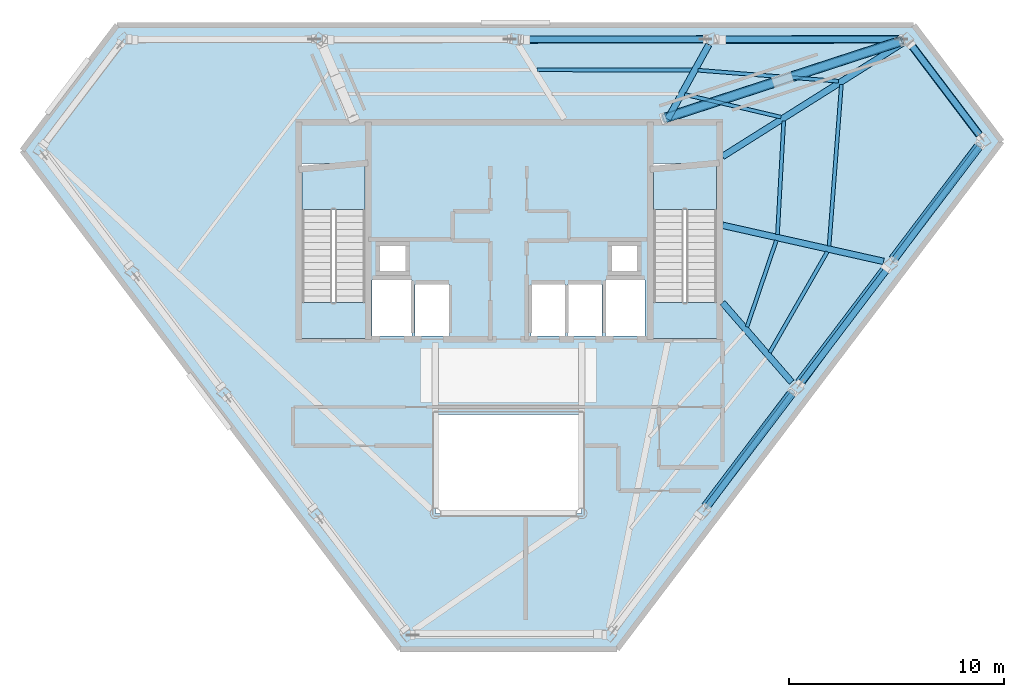
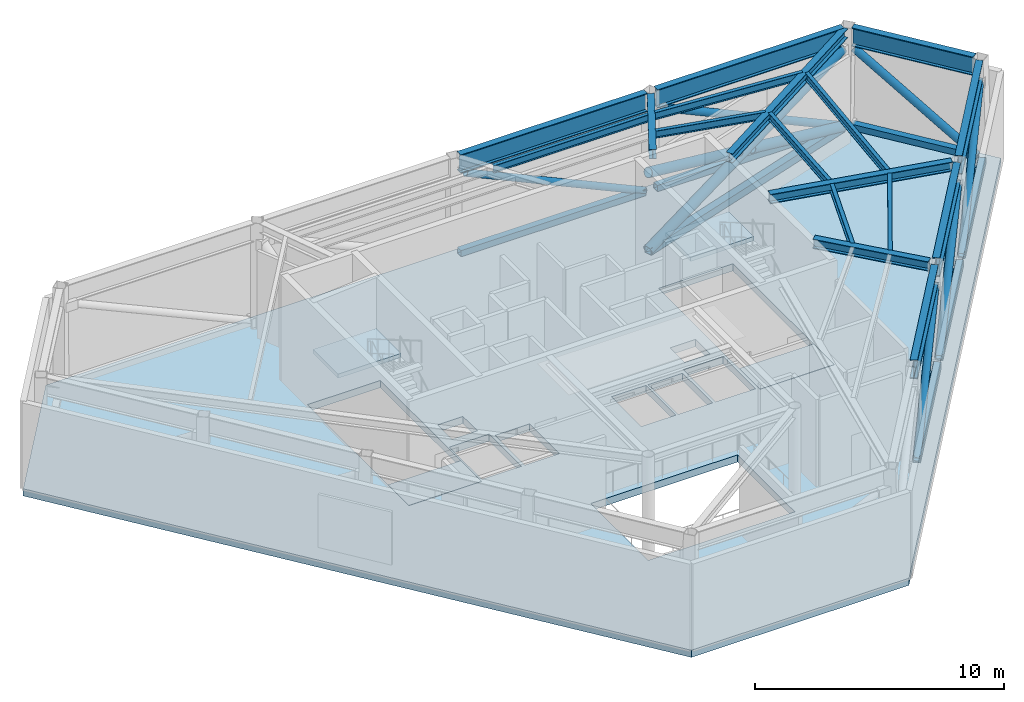
# One storey, part 2 of 9: 17 beams, 16 members, 5 slabs, 2 elements without a shape of their own.
"""IFC4 building model written with IfcOpenShell, lengths in metres."""

from ifc_helpers import new_model, si_unit, direction, frame, origin, origin_2d, place, context, subcontext, project, spatial, polyline, hollow_rectangle, hollow_circle, i_section, outline, extrude, material, layer, layer_set, material_profile, profile_set, type_object, element, aggregate, save


model = new_model("IFC4")

# Units and contexts
model_context = context("Model", 3, precision=1e-05, world=origin(), true_north=direction((0.0, 1.0)))
body_context = subcontext(model_context, "Body", "Model", "MODEL_VIEW")
ifc_project = project(units=[si_unit("LENGTHUNIT", "METRE"), si_unit("AREAUNIT", "SQUARE_METRE"), si_unit("VOLUMEUNIT", "CUBIC_METRE"), si_unit("PLANEANGLEUNIT", "RADIAN"), si_unit("MASSUNIT", "GRAM", prefix="KILO")], contexts=[model_context])

# Site, building, storey
site_placement = place(None, origin())
site = spatial("IfcSite", under=ifc_project, at=site_placement, CompositionType="ELEMENT")
building_placement = place(site_placement, origin())
building = spatial("IfcBuilding", under=site, at=building_placement, Name="Zarrinselat Tower", CompositionType="ELEMENT")
storey_placement = place(building_placement, frame((0.0, 0.0, 252.9599609375)))
storey = spatial("IfcBuildingStorey", under=building, at=storey_placement, Name="L64", CompositionType="ELEMENT", Elevation=252.9599609375)

# Beams
ifc_material_1 = material(Name="Steel S355J2", Category="steel")
ifc_material_profile_1 = material_profile(ifc_material_1, i_section(OverallWidth=0.300048828125, OverallDepth=0.449951171875, WebThickness=0.013916015625, FlangeThickness=0.02587890625, at=origin_2d()), Name="HEB 450")
ifc_profile_set_1 = profile_set([ifc_material_profile_1], Name="Steel S355J2")
beam_type_1 = type_object("IfcBeamType", Name="BM-HEB450", PredefinedType="BEAM", material=ifc_profile_set_1)
beam_1_placement = place(storey_placement, frame((48.35009765625, 41.800048828125, 4.9951171875), z_axis=(0.846186362049, 0.532887080611, 0.0), x_axis=(-0.532887080611, 0.846186362049, 0.0)))
element("IfcBeam", 1, at=beam_1_placement, inside=storey, type_object=beam_type_1, Name="L64 Radial Primary Girder RG01", PredefinedType="BEAM", context=body_context, shape_type="SweptSolid", body=[
    extrude(i_section(OverallWidth=0.300048828125, OverallDepth=0.449951171875, WebThickness=0.013916015625, FlangeThickness=0.02587890625, at=origin_2d()), origin(), (0.0, 0.0, 1.0), 9.912841796875),
])
beam_2_placement = place(storey_placement, frame((45.800048828125, 43.5400390625, 4.9951171875), z_axis=(0.483873039518, 0.875138207158, 0.0), x_axis=(-0.875138207158, 0.483873039518, 0.0)))
element("IfcBeam", 2, at=beam_2_placement, inside=storey, type_object=beam_type_1, Name="L64 Radial Primary Girder RG02", PredefinedType="BEAM", context=body_context, shape_type="SweptSolid", body=[
    extrude(i_section(OverallWidth=0.300048828125, OverallDepth=0.449951171875, WebThickness=0.013916015625, FlangeThickness=0.02587890625, at=origin_2d()), origin(), (0.0, 0.0, 1.0), 3.94921875),
])
beam_3_placement = place(storey_placement, frame((48.35009765625, 35.0, 4.9951171875), z_axis=(0.65651081447, -0.754316611566, 0.0), x_axis=(0.754316611566, 0.65651081447, 0.0)))
element("IfcBeam", 3, at=beam_3_placement, inside=storey, type_object=beam_type_1, Name="L64 Radial Primary Girder RG13", PredefinedType="BEAM", context=body_context, shape_type="SweptSolid", body=[
    extrude(i_section(OverallWidth=0.300048828125, OverallDepth=0.449951171875, WebThickness=0.013916015625, FlangeThickness=0.02587890625, at=origin_2d()), origin(), (0.0, 0.0, 1.0), 4.89501953125),
])
beam_4_placement = place(storey_placement, frame((48.35009765625, 38.60009765625, 4.9951171875), z_axis=(0.97576451848, -0.218823226544, 0.0), x_axis=(0.218823226544, 0.97576451848, 0.0)))
element("IfcBeam", 4, at=beam_4_placement, inside=storey, type_object=beam_type_1, Name="L64 Radial Primary Girder RG14", PredefinedType="BEAM", context=body_context, shape_type="SweptSolid", body=[
    extrude(i_section(OverallWidth=0.300048828125, OverallDepth=0.449951171875, WebThickness=0.013916015625, FlangeThickness=0.02587890625, at=origin_2d()), origin(), (0.0, 0.0, 1.0), 7.673828125),
])
ifc_material_2 = material(Name="Steel S460M", Category="steel")
ifc_material_profile_2 = material_profile(ifc_material_2, i_section(OverallWidth=0.302001953125, OverallDepth=0.909912109375, WebThickness=0.02099609375, FlangeThickness=0.0400390625, at=origin_2d()), Name="HEM 900")
ifc_profile_set_2 = profile_set([ifc_material_profile_2], Name="Steel S460M")
beam_type_2 = type_object("IfcBeamType", Name="BM-HEM900", PredefinedType="BEAM", material=ifc_profile_set_2)
for number, where, z_axis, x_axis, name in (
    (5, (48.07080078125, 47.216796875, 4.76513671875), (1.0, 0.0, 0.0), (0.0, 1.0, 0.0), "L64 Perimeter Spandrel Girder SP01"),
    (6, (38.951904296875, 47.216796875, 4.76513671875), (1.0, 0.0, 0.0), (0.0, 1.0, 0.0), "L64 Perimeter Spandrel Girder SP02"),
):
    element("IfcBeam", number, at=place(storey_placement, frame(where, z_axis=z_axis, x_axis=x_axis)), inside=storey, type_object=beam_type_2, Name=name, PredefinedType="BEAM", context=body_context, shape_type="SweptSolid", body=[
        extrude(i_section(OverallWidth=0.302001953125, OverallDepth=0.909912109375, WebThickness=0.02099609375, FlangeThickness=0.0400390625, at=origin_2d()), origin(), (0.0, 0.0, 1.0), 8.642822265625),
    ])
beam_5_placement = place(storey_placement, frame((47.51806640625, 25.55908203125, 4.76513671875), z_axis=(0.603878624044, 0.797076287078, 0.0), x_axis=(-0.797076287078, 0.603878624044, 0.0)))
element("IfcBeam", 7, at=beam_5_placement, inside=storey, type_object=beam_type_2, Name="L64 Perimeter Spandrel Girder SP12", PredefinedType="BEAM", context=body_context, shape_type="SweptSolid", body=[
    extrude(i_section(OverallWidth=0.302001953125, OverallDepth=0.909912109375, WebThickness=0.02099609375, FlangeThickness=0.0400390625, at=origin_2d()), origin(), (0.0, 0.0, 1.0), 6.7353515625),
])
for number, where, z_axis, x_axis, name in (
    (8, (51.872802734375, 31.30712890625, 4.76513671875), (0.603861177265, 0.797089504756, 0.0), (-0.797089504756, 0.603861177265, 0.0), "L64 Perimeter Spandrel Girder SP13"),
    (9, (56.2275390625, 37.055419921875, 4.76513671875), (0.603861177265, 0.797089504756, 0.0), (-0.797089504756, 0.603861177265, 0.0), "L64 Perimeter Spandrel Girder SP14"),
):
    element("IfcBeam", number, at=place(storey_placement, frame(where, z_axis=z_axis, x_axis=x_axis)), inside=storey, type_object=beam_type_2, Name=name, PredefinedType="BEAM", context=body_context, shape_type="SweptSolid", body=[
        extrude(i_section(OverallWidth=0.302001953125, OverallDepth=0.909912109375, WebThickness=0.02099609375, FlangeThickness=0.0400390625, at=origin_2d()), origin(), (0.0, 0.0, 1.0), 6.735595703125),
    ])
beam_6_placement = place(storey_placement, frame((57.09521484375, 47.027099609375, 4.76513671875), z_axis=(0.603878091551, -0.797076690504, 0.0), x_axis=(0.797076690504, 0.603878091551, 0.0)))
element("IfcBeam", 10, at=beam_6_placement, inside=storey, type_object=beam_type_2, Name="L64 Perimeter Spandrel Girder SP15", PredefinedType="BEAM", context=body_context, shape_type="SweptSolid", body=[
    extrude(i_section(OverallWidth=0.302001953125, OverallDepth=0.909912109375, WebThickness=0.02099609375, FlangeThickness=0.0400390625, at=origin_2d()), origin(), (0.0, 0.0, 1.0), 5.298583984375),
])
ifc_material_3 = material(Name="Steel S355J2", Category="steel")
ifc_material_profile_3 = material_profile(ifc_material_3, i_section(OverallWidth=0.169921875, OverallDepth=0.360107421875, WebThickness=0.008056640625, FlangeThickness=0.0126953125, at=origin_2d()), Name="IPE 360")
ifc_profile_set_3 = profile_set([ifc_material_profile_3], Name="Steel S355J2")
beam_type_3 = type_object("IfcBeamType", Name="BM-IPE360", PredefinedType="JOIST", material=ifc_profile_set_3)
beam_7_placement = place(storey_placement, frame((50.54052734375, 32.6845703125, 5.0400390625), z_axis=(0.496757302364, 0.867889499042, 0.0), x_axis=(-0.867889499042, 0.496757302364, 0.0)))
element("IfcBeam", 11, at=beam_7_placement, inside=storey, type_object=beam_type_3, Name="L64 Composite Floor Joist 4-1", PredefinedType="JOIST", context=body_context, shape_type="SweptSolid", body=[
    extrude(i_section(OverallWidth=0.169921875, OverallDepth=0.360107421875, WebThickness=0.008056640625, FlangeThickness=0.0126953125, at=origin_2d()), origin(), (0.0, 0.0, 1.0), 5.398681640625),
])
beam_8_placement = place(storey_placement, frame((49.487548828125, 33.877197265625, 5.0400390625), z_axis=(0.321210675183, 0.947007762454, 0.0), x_axis=(-0.947007762454, 0.321210675183, 0.0)))
element("IfcBeam", 12, at=beam_8_placement, inside=storey, type_object=beam_type_3, Name="L64 Composite Floor Joist 4-2", PredefinedType="JOIST", context=body_context, shape_type="SweptSolid", body=[
    extrude(i_section(OverallWidth=0.169921875, OverallDepth=0.360107421875, WebThickness=0.008056640625, FlangeThickness=0.0126953125, at=origin_2d()), origin(), (0.0, 0.0, 1.0), 4.244140625),
])
beam_9_placement = place(storey_placement, frame((53.302734375, 37.63134765625, 5.0400390625), z_axis=(0.076022739161, 0.997106084191, 0.0), x_axis=(-0.997106084191, 0.076022739161, 0.0)))
element("IfcBeam", 13, at=beam_9_placement, inside=storey, type_object=beam_type_3, Name="L64 Composite Floor Joist 5-1", PredefinedType="JOIST", context=body_context, shape_type="SweptSolid", body=[
    extrude(i_section(OverallWidth=0.169921875, OverallDepth=0.360107421875, WebThickness=0.008056640625, FlangeThickness=0.0126953125, at=origin_2d()), origin(), (0.0, 0.0, 1.0), 7.537109375),
])
beam_10_placement = place(storey_placement, frame((50.903564453125, 38.1689453125, 5.0400390625), z_axis=(0.054910795382, 0.998491264133, 0.0), x_axis=(-0.998491264133, 0.054910795382, 0.0)))
element("IfcBeam", 14, at=beam_10_placement, inside=storey, type_object=beam_type_3, Name="L64 Composite Floor Joist 5-2", PredefinedType="JOIST", context=body_context, shape_type="SweptSolid", body=[
    extrude(i_section(OverallWidth=0.169921875, OverallDepth=0.360107421875, WebThickness=0.008056640625, FlangeThickness=0.0126953125, at=origin_2d()), origin(), (0.0, 0.0, 1.0), 5.29541015625),
])
beam_11_placement = place(storey_placement, frame((47.20068359375, 45.810302734375, 5.0400390625), z_axis=(0.99694411501, -0.078118061598, 0.0), x_axis=(0.078118061598, 0.99694411501, 0.0)))
element("IfcBeam", 15, at=beam_11_placement, inside=storey, type_object=beam_type_3, Name="L64 Composite Floor Joist 6-1", PredefinedType="JOIST", context=body_context, shape_type="SweptSolid", body=[
    extrude(i_section(OverallWidth=0.169921875, OverallDepth=0.360107421875, WebThickness=0.008056640625, FlangeThickness=0.0126953125, at=origin_2d()), origin(), (0.0, 0.0, 1.0), 6.566162109375),
])
beam_12_placement = place(storey_placement, frame((46.5859375, 44.68310546875, 5.0400390625), z_axis=(0.973377500362, -0.22920785717, 0.0), x_axis=(0.22920785717, 0.973377500362, 0.0)))
element("IfcBeam", 16, at=beam_12_placement, inside=storey, type_object=beam_type_3, Name="L64 Composite Floor Joist 6-2", PredefinedType="JOIST", context=body_context, shape_type="SweptSolid", body=[
    extrude(i_section(OverallWidth=0.169921875, OverallDepth=0.360107421875, WebThickness=0.008056640625, FlangeThickness=0.0126953125, at=origin_2d()), origin(), (0.0, 0.0, 1.0), 4.6025390625),
])
beam_13_placement = place(storey_placement, frame((39.718994140625, 45.8251953125, 5.0400390625), z_axis=(0.999999852916, -0.000542372802, 0.0), x_axis=(0.000542372802, 0.999999852916, 0.0)))
element("IfcBeam", 17, at=beam_13_placement, inside=storey, type_object=beam_type_3, Name="L64 Composite Floor Joist 7-1", PredefinedType="JOIST", context=body_context, shape_type="SweptSolid", body=[
    extrude(i_section(OverallWidth=0.169921875, OverallDepth=0.360107421875, WebThickness=0.008056640625, FlangeThickness=0.0126953125, at=origin_2d()), origin(), (0.0, 0.0, 1.0), 7.2021484375),
])

# Members
ifc_material_4 = material(Name="Steel S355J2", Category="steel")
ifc_material_profile_4 = material_profile(ifc_material_4, hollow_circle(Radius=0.177734375, WallThickness=0.01416015625, at=origin_2d()), Name="CHS 355.6x14.2")
ifc_profile_set_4 = profile_set([ifc_material_profile_4], Name="Steel S355J2")
member_type_1 = type_object("IfcMemberType", Name="MEM-BELT-BR1", PredefinedType="BRACE", material=ifc_profile_set_4)
member_1_placement = place(storey_placement, frame((56.65576171875, 47.2529296875, 0.35009765625), z_axis=(-0.908742380215, -0.003102148733, 0.41734597527), x_axis=(0.003413652456, -0.999994173471, 0.0)))
element("IfcMember", 18, at=member_1_placement, inside=storey, type_object=member_type_1, Name="L64 Perimeter Belt Truss Diagonal 1", PredefinedType="BRACE", context=body_context, shape_type="SweptSolid", body=[
    extrude(hollow_circle(Radius=0.177734375, WallThickness=0.01416015625, at=origin_2d()), origin(), (0.0, 0.0, 1.0), 9.129150390625),
])
member_2_placement = place(storey_placement, frame((51.97119140625, 31.23388671875, 0.35009765625), z_axis=(0.514448964405, 0.699768738902, 0.495647026701), x_axis=(-0.80569874736, 0.59232552579, 0.0)))
element("IfcMember", 19, at=member_2_placement, inside=storey, type_object=member_type_1, Name="L64 Perimeter Belt Truss Diagonal 13", PredefinedType="BRACE", context=body_context, shape_type="SweptSolid", body=[
    extrude(hollow_circle(Radius=0.177734375, WallThickness=0.01416015625, at=origin_2d()), origin(), (0.0, 0.0, 1.0), 7.68701171875),
])
member_3_placement = place(storey_placement, frame((60.35400390625, 42.717041015625, 0.35009765625), z_axis=(-0.491752581446, 0.650127422192, 0.579235473323), x_axis=(-0.797545520551, -0.603258769227, 0.0)))
element("IfcMember", 20, at=member_3_placement, inside=storey, type_object=member_type_1, Name="L64 Perimeter Belt Truss Diagonal 15", PredefinedType="BRACE", context=body_context, shape_type="SweptSolid", body=[
    extrude(hollow_circle(Radius=0.177734375, WallThickness=0.01416015625, at=origin_2d()), origin(), (0.0, 0.0, 1.0), 6.57763671875),
])
ifc_material_5 = material(Name="Steel S355J2", Category="steel")
ifc_material_profile_5 = material_profile(ifc_material_5, hollow_circle(Radius=0.161865234375, WallThickness=0.012451171875, at=origin_2d()), Name="CHS 323.9x12.5")
ifc_profile_set_5 = profile_set([ifc_material_profile_5], Name="Steel S355J2")
member_type_2 = type_object("IfcMemberType", Name="MEM-BELT-BR2", PredefinedType="BRACE", material=ifc_profile_set_5)
member_4_placement = place(storey_placement, frame((47.55615234375, 47.2529296875, 0.35009765625), z_axis=(-0.909030539076, -0.003097480907, 0.41671799174), x_axis=(0.003407435496, -0.999994194675, 0.0)))
element("IfcMember", 21, at=member_4_placement, inside=storey, type_object=member_type_2, Name="L64 Perimeter Belt Truss Diagonal 2", PredefinedType="BRACE", context=body_context, shape_type="SweptSolid", body=[
    extrude(hollow_circle(Radius=0.161865234375, WallThickness=0.012451171875, at=origin_2d()), origin(), (0.0, 0.0, 1.0), 9.14306640625),
])
member_5_placement = place(storey_placement, frame((47.62158203125, 25.4921875, 0.35009765625), z_axis=(0.514315253373, 0.699611133188, 0.49600814758), x_axis=(-0.805708554509, 0.592312185584, 0.0)))
element("IfcMember", 22, at=member_5_placement, inside=storey, type_object=member_type_2, Name="L64 Perimeter Belt Truss Diagonal 12", PredefinedType="BRACE", context=body_context, shape_type="SweptSolid", body=[
    extrude(hollow_circle(Radius=0.161865234375, WallThickness=0.012451171875, at=origin_2d()), origin(), (0.0, 0.0, 1.0), 7.681396484375),
])
member_6_placement = place(storey_placement, frame((56.32080078125, 36.9755859375, 0.35009765625), z_axis=(0.514593822782, 0.699909804725, 0.495297347868), x_axis=(-0.805676140334, 0.592356275308, 0.0)))
element("IfcMember", 23, at=member_6_placement, inside=storey, type_object=member_type_2, Name="L64 Perimeter Belt Truss Diagonal 14", PredefinedType="BRACE", context=body_context, shape_type="SweptSolid", body=[
    extrude(hollow_circle(Radius=0.161865234375, WallThickness=0.012451171875, at=origin_2d()), origin(), (0.0, 0.0, 1.0), 7.6923828125),
])
ifc_material_6 = material(Name="Steel S460M", Category="steel")
ifc_material_profile_6 = material_profile(ifc_material_6, hollow_rectangle(XDim=0.300048828125, YDim=0.300048828125, WallThickness=0.01611328125, at=origin_2d()), Name="SHS 300x300x16")
ifc_profile_set_6 = profile_set([ifc_material_profile_6], Name="Steel S460M")
member_type_3 = type_object("IfcMemberType", Name="MEM-BELT-CHORD", PredefinedType="CHORD", material=ifc_profile_set_6)
member_7_placement = place(storey_placement, frame((56.65576171875, 47.2529296875, 0.35009765625), z_axis=(-1.0, 0.0, 0.0), x_axis=(0.0, -1.0, 0.0)))
element("IfcMember", 24, at=member_7_placement, inside=storey, type_object=member_type_3, Name="L64 Perimeter Belt Truss Chord 1", PredefinedType="CHORD", context=body_context, shape_type="SweptSolid", body=[
    extrude(hollow_rectangle(XDim=0.300048828125, YDim=0.300048828125, WallThickness=0.01611328125, at=origin_2d()), origin(), (0.0, 0.0, 1.0), 8.57568359375),
])
member_8_placement = place(storey_placement, frame((47.55615234375, 47.2529296875, 0.35009765625), z_axis=(-1.0, 0.0, 0.0), x_axis=(0.0, -1.0, 0.0)))
element("IfcMember", 25, at=member_8_placement, inside=storey, type_object=member_type_3, Name="L64 Perimeter Belt Truss Chord 2", PredefinedType="CHORD", context=body_context, shape_type="SweptSolid", body=[
    extrude(hollow_rectangle(XDim=0.300048828125, YDim=0.300048828125, WallThickness=0.01611328125, at=origin_2d()), origin(), (0.0, 0.0, 1.0), 8.575439453125),
])
for number, where, z_axis, x_axis, name in (
    (26, (47.62158203125, 25.4921875, 0.35009765625), (0.603847131652, 0.797100145274, 0.0), (-0.797100145274, 0.603847131652, 0.0), "L64 Perimeter Belt Truss Chord 12"),
    (27, (51.97119140625, 31.23388671875, 0.35009765625), (0.603847131652, 0.797100145274, 0.0), (-0.797100145274, 0.603847131652, 0.0), "L64 Perimeter Belt Truss Chord 13"),
):
    element("IfcMember", number, at=place(storey_placement, frame(where, z_axis=z_axis, x_axis=x_axis)), inside=storey, type_object=member_type_3, Name=name, PredefinedType="CHORD", context=body_context, shape_type="SweptSolid", body=[
        extrude(hollow_rectangle(XDim=0.300048828125, YDim=0.300048828125, WallThickness=0.01611328125, at=origin_2d()), origin(), (0.0, 0.0, 1.0), 6.67919921875),
    ])
member_9_placement = place(storey_placement, frame((56.32080078125, 36.9755859375, 0.35009765625), z_axis=(0.603864725704, 0.797086816508, 0.0), x_axis=(-0.797086816508, 0.603864725704, 0.0)))
element("IfcMember", 28, at=member_9_placement, inside=storey, type_object=member_type_3, Name="L64 Perimeter Belt Truss Chord 14", PredefinedType="CHORD", context=body_context, shape_type="SweptSolid", body=[
    extrude(hollow_rectangle(XDim=0.300048828125, YDim=0.300048828125, WallThickness=0.01611328125, at=origin_2d()), origin(), (0.0, 0.0, 1.0), 6.678955078125),
])
member_10_placement = place(storey_placement, frame((60.35400390625, 42.717041015625, 0.35009765625), z_axis=(-0.603849895129, 0.797098051781, 0.0), x_axis=(-0.797098051781, -0.603849895129, 0.0)))
element("IfcMember", 29, at=member_10_placement, inside=storey, type_object=member_type_3, Name="L64 Perimeter Belt Truss Chord 15", PredefinedType="CHORD", context=body_context, shape_type="SweptSolid", body=[
    extrude(hollow_rectangle(XDim=0.300048828125, YDim=0.300048828125, WallThickness=0.01611328125, at=origin_2d()), origin(), (0.0, 0.0, 1.0), 5.4287109375),
])
ifc_material_7 = material(Name="Steel S460M", Category="steel")
ifc_material_profile_7 = material_profile(ifc_material_7, hollow_circle(Radius=0.228515625, WallThickness=0.01611328125, at=origin_2d()), Name="CHS 457x16")
ifc_profile_set_7 = profile_set([ifc_material_profile_7], Name="Steel S460M")
member_type_4 = type_object("IfcMemberType", Name="MEM-OUTRIGGER-BR1", PredefinedType="BRACE", material=ifc_profile_set_7)
member_11_placement = place(storey_placement, frame((45.60009765625, 43.56201171875, 0.35009765625), z_axis=(0.903689830446, 0.294707861712, 0.310631560845), x_axis=(-0.310045699752, 0.950721654358, 0.0)))
element("IfcMember", 30, at=member_11_placement, inside=storey, type_object=member_type_4, Name="L64 Outrigger Truss Primary Diagonal NE1", PredefinedType="BRACE", context=body_context, shape_type="SweptSolid", body=[
    extrude(hollow_circle(Radius=0.228515625, WallThickness=0.01611328125, at=origin_2d()), origin(), (0.0, 0.0, 1.0), 12.265625),
])
member_12_placement = place(storey_placement, frame((56.668701171875, 47.171875, 0.35009765625), z_axis=(-0.903556133158, -0.294712097282, 0.31101622779), x_axis=(0.310091193686, -0.950706816847, 0.0)))
element("IfcMember", 31, at=member_12_placement, inside=storey, type_object=member_type_4, Name="L64 Outrigger Truss Split Diagonal NE2A", PredefinedType="BRACE", context=body_context, shape_type="SweptSolid", body=[
    extrude(hollow_circle(Radius=0.228515625, WallThickness=0.01611328125, at=origin_2d()), origin(), (0.0, 0.0, 1.0), 5.72021484375),
])
member_13_placement = place(storey_placement, frame((50.776123046875, 45.25, 2.37841796875), z_axis=(-0.903564798605, -0.294667563679, 0.311033248442), x_axis=(0.310046153277, -0.950721506456, 0.0)))
element("IfcMember", 32, at=member_13_placement, inside=storey, type_object=member_type_4, Name="L64 Outrigger Truss Split Diagonal NE2B", PredefinedType="BRACE", context=body_context, shape_type="SweptSolid", body=[
    extrude(hollow_circle(Radius=0.228515625, WallThickness=0.01611328125, at=origin_2d()), origin(), (0.0, 0.0, 1.0), 5.728515625),
])
ifc_material_8 = material(Name="Steel S460M", Category="steel")
ifc_material_profile_8 = material_profile(ifc_material_8, hollow_rectangle(XDim=0.35009765625, YDim=0.35009765625, WallThickness=0.01611328125, at=origin_2d()), Name="SHS 350x350x16")
ifc_profile_set_8 = profile_set([ifc_material_profile_8], Name="Steel S460M")
member_type_5 = type_object("IfcMemberType", Name="MEM-OUTRIGGER-CHORD", PredefinedType="CHORD", material=ifc_profile_set_8)
member_14_placement = place(storey_placement, frame((45.60009765625, 43.56201171875, 0.35009765625), z_axis=(0.950716267648, 0.310062217029, 0.0), x_axis=(-0.310062217029, 0.950716267648, 0.0)))
element("IfcMember", 33, at=member_14_placement, inside=storey, type_object=member_type_5, Name="L64 Outrigger Truss Bottom Chord NE", PredefinedType="CHORD", context=body_context, shape_type="SweptSolid", body=[
    extrude(hollow_rectangle(XDim=0.35009765625, YDim=0.35009765625, WallThickness=0.01611328125, at=origin_2d()), origin(), (0.0, 0.0, 1.0), 11.642333984375),
])

# Slabs
ifc_material_9 = material(Name="Concrete C50/60", Category="concrete")
ifc_layer_1 = layer(ifc_material_9, 0.35009765625)
ifc_layer_set_1 = layer_set([ifc_layer_1], Name="Concrete C50/60")
slab_type_1 = type_object("IfcSlabType", Name="SLB-FLOOR-350-SL-TR350", PredefinedType="FLOOR", material=ifc_layer_set_1)
slab_1_placement = place(storey_placement, frame((0.0, 0.0, -0.349853515625)))
element("IfcSlab", 34, at=slab_1_placement, inside=storey, type_object=slab_type_1, Name="L64 Primary Structural Slab", PredefinedType="FLOOR", context=body_context, shape_type="SweptSolid", body=[
    extrude(outline(polyline([(57.23828125, 47.905517578125), (20.199462890625, 47.905517578125), (15.785888671875, 42.07958984375), (33.356689453125, 18.88623046875), (43.443359375, 18.88623046875), (61.3330078125, 42.50048828125), (57.23828125, 47.905517578125)]), holes=[polyline([(41.800048828125, 25.199951171875), (35.0, 25.199951171875), (35.0, 29.800048828125), (41.800048828125, 29.800048828125), (41.800048828125, 25.199951171875)]), polyline([(35.64990234375, 33.449951171875), (34.050048828125, 33.449951171875), (34.050048828125, 35.85009765625), (35.64990234375, 35.85009765625), (35.64990234375, 33.449951171875)]), polyline([(41.050048828125, 33.449951171875), (39.449951171875, 33.449951171875), (39.449951171875, 35.85009765625), (41.050048828125, 35.85009765625), (41.050048828125, 33.449951171875)]), polyline([(41.14990234375, 33.449951171875), (41.14990234375, 35.85009765625), (42.75, 35.85009765625), (42.75, 33.449951171875), (41.14990234375, 33.449951171875)]), polyline([(32.06005859375, 33.449951171875), (32.06005859375, 36.050048828125), (33.89990234375, 36.050048828125), (33.89990234375, 33.449951171875), (32.06005859375, 33.449951171875)]), polyline([(44.739990234375, 33.449951171875), (42.89990234375, 33.449951171875), (42.89990234375, 36.050048828125), (44.739990234375, 36.050048828125), (44.739990234375, 33.449951171875)]), polyline([(33.60009765625, 36.47998046875), (32.419921875, 36.47998046875), (32.419921875, 37.639892578125), (33.60009765625, 37.639892578125), (33.60009765625, 36.47998046875)]), polyline([(44.3798828125, 36.47998046875), (43.199951171875, 36.47998046875), (43.199951171875, 37.639892578125), (44.3798828125, 37.639892578125), (44.3798828125, 36.47998046875)]), polyline([(31.985107421875, 33.324951171875), (28.60498046875, 33.324951171875), (28.60498046875, 41.47509765625), (31.985107421875, 41.47509765625), (31.985107421875, 33.324951171875)]), polyline([(48.324951171875, 33.324951171875), (44.875, 33.324951171875), (44.875, 41.47509765625), (48.324951171875, 41.47509765625), (48.324951171875, 33.324951171875)])]), origin(), (0.0, 0.0, 1.0), 0.349853515625),
])
slab_2_placement = place(storey_placement, frame((0.0, 0.0, -0.349853515625)))
element("IfcSlab", 35, at=slab_2_placement, inside=storey, type_object=slab_type_1, Name="L64 Stair ST-1-FL1 Structural Floor Landing", PredefinedType="FLOOR", context=body_context, shape_type="SweptSolid", body=[
    extrude(outline(polyline([(31.97998046875, 33.330078125), (31.97998046875, 35.0), (28.610107421875, 35.0), (28.610107421875, 33.330078125), (31.97998046875, 33.330078125)])), origin(), (0.0, 0.0, 1.0), 0.349853515625),
])
slab_3_placement = place(storey_placement, frame((0.0, 0.0, -0.349853515625)))
element("IfcSlab", 36, at=slab_3_placement, inside=storey, type_object=slab_type_1, Name="L64 Stair ST-2-FL1 Structural Floor Landing", PredefinedType="FLOOR", context=body_context, shape_type="SweptSolid", body=[
    extrude(outline(polyline([(48.320068359375, 33.330078125), (48.320068359375, 35.0), (44.8798828125, 35.0), (44.8798828125, 33.330078125), (48.320068359375, 33.330078125)])), origin(), (0.0, 0.0, 1.0), 0.349853515625),
])

# Stair, slab
ifc_material_10 = material(Name="Concrete C40/50", Category="concrete")
stair_type = type_object("IfcStairType", Name="STR-CORE-155", PredefinedType="HALF_TURN_STAIR", material=ifc_material_10)
stair_1_placement = place(storey_placement, origin())
stair_1 = element("IfcStair", 37, at=stair_1_placement, inside=storey, type_object=stair_type, Name="L64 Core Exit Stair 1", PredefinedType="HALF_TURN_STAIR")
ifc_material_11 = material(Name="Concrete C40/50", Category="concrete")
ifc_layer_2 = layer(ifc_material_11, 0.18994140625)
ifc_layer_set_2 = layer_set([ifc_layer_2], Name="Concrete C40/50")
slab_type_2 = type_object("IfcSlabType", Name="SLB-LND-190", PredefinedType="LANDING", material=ifc_layer_set_2)
slab_4_placement = place(storey_placement, frame((0.0, 0.0, 2.52001953125)))
slab_4 = element("IfcSlab", 38, at=slab_4_placement, type_object=slab_type_2, Name="ST-1 landing 1", PredefinedType="LANDING", context=body_context, shape_type="SweptSolid", body=[
    extrude(outline(polyline([(31.719970703125, 39.340087890625), (31.719970703125, 41.35009765625), (28.800048828125, 41.35009765625), (28.800048828125, 39.340087890625), (31.719970703125, 39.340087890625)])), origin(), (0.0, 0.0, 1.0), 0.199951171875),
])
aggregate(stair_1, [slab_4])

stair_2_placement = place(storey_placement, origin())
stair_2 = element("IfcStair", 39, at=stair_2_placement, inside=storey, type_object=stair_type, Name="L64 Core Exit Stair 2", PredefinedType="HALF_TURN_STAIR")
slab_5_placement = place(storey_placement, frame((0.0, 0.0, 2.52001953125)))
slab_5 = element("IfcSlab", 40, at=slab_5_placement, type_object=slab_type_2, Name="ST-2 landing 1", PredefinedType="LANDING", context=body_context, shape_type="SweptSolid", body=[
    extrude(outline(polyline([(48.06005859375, 39.340087890625), (48.06005859375, 41.35009765625), (45.139892578125, 41.35009765625), (45.139892578125, 39.340087890625), (48.06005859375, 39.340087890625)])), origin(), (0.0, 0.0, 1.0), 0.199951171875),
])
aggregate(stair_2, [slab_5])

save(model, "model.ifc")
